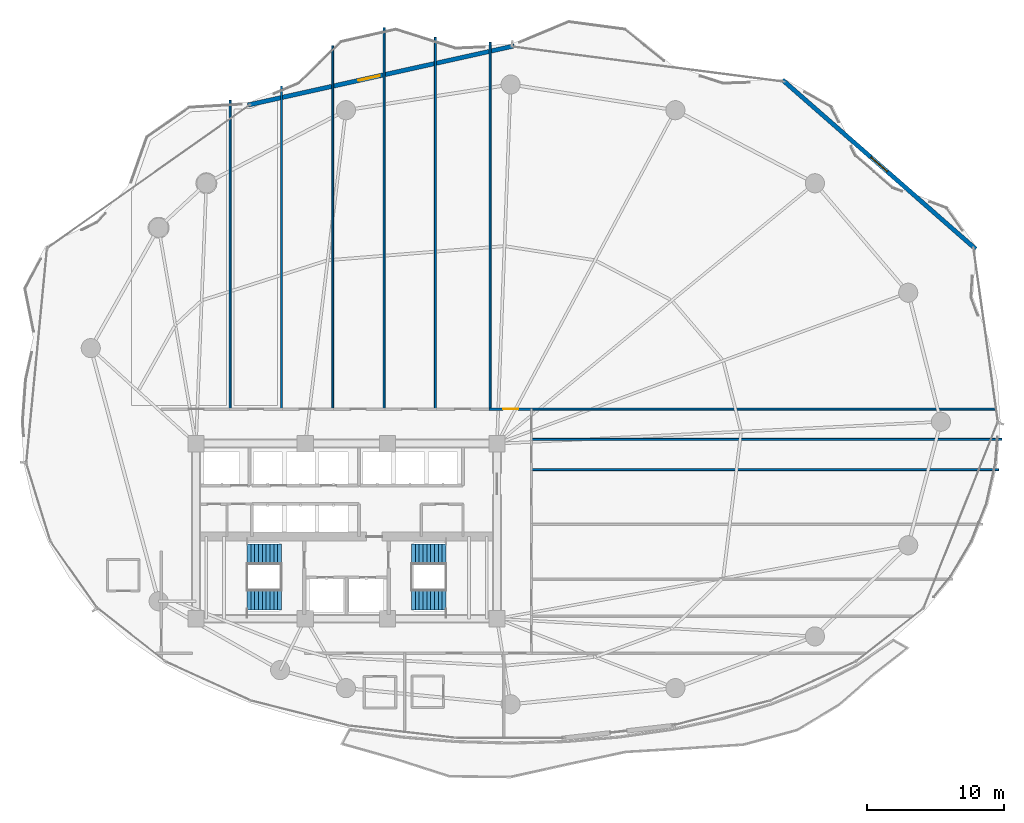
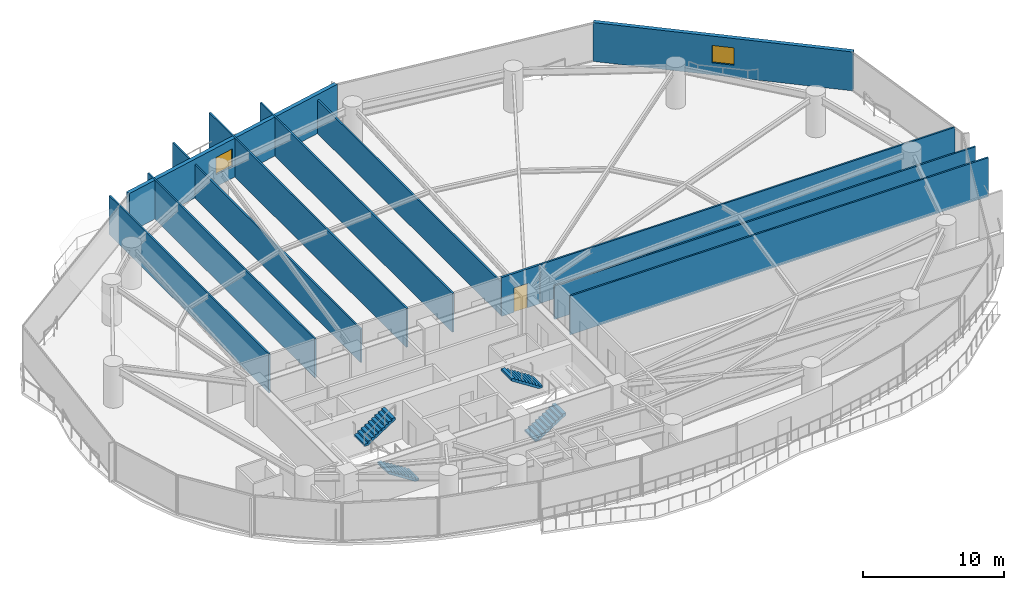
# One storey, part 27 of 32: 12 walls, 4 stair flights, 2 windows, 1 door, 3 openings, 2 elements without a shape of their own.
"""IFC4 building model written with IfcOpenShell, lengths in metres."""

import ifcopenshell
import ifcopenshell.guid

model = None  # the IFC model being written
_history = None  # IfcOwnerHistory: only IFC2X3 demands one
_inside = {}  # id of a spatial element -> (the spatial element, [elements in it])
_under = {}  # id of a project, library or spatial element -> (it, [spatial elements below it])
_declared = {}  # id of a project -> (the project, [libraries it declares])
_typed = {}  # id of a type object -> (the type object, [elements of that type])
_made_of = {}  # id of a material, layer set ... -> (it, [elements and type objects made of it])


def new_model(schema):
    """Start an empty IFC model of exactly this schema.

    Asked for "IFC4X3", IfcOpenShell would pick the latest addendum, in which some entities
    have other attributes; the version numbers below select the first issue.
    IFC2X3 requires an IfcOwnerHistory on every rooted entity: one is made here for all.
    """
    global model, _history
    if schema == "IFC4X3":
        model = ifcopenshell.file(schema_version=(4, 3, 0, 0))
    else:
        model = ifcopenshell.file(schema=schema)
    _inside.clear()
    _under.clear()
    _declared.clear()
    _typed.clear()
    _made_of.clear()
    _history = None
    if model.schema == "IFC2X3":
        org = make("IfcOrganization", Name="unknown")
        user = make(
            "IfcPersonAndOrganization",
            ThePerson=make("IfcPerson", FamilyName="unknown"),
            TheOrganization=org,
        )
        app = make(
            "IfcApplication",
            ApplicationDeveloper=org,
            Version="unknown",
            ApplicationFullName="unknown",
            ApplicationIdentifier="unknown",
        )
        _history = make(
            "IfcOwnerHistory",
            OwningUser=user,
            OwningApplication=app,
            ChangeAction="ADDED",
            CreationDate=0,
        )
    return model


def make(cls, **values):
    """One entity of the class cls with the attributes given. An attribute that is None is left unset."""
    return model.create_entity(
        cls, **{name: value for name, value in values.items() if value is not None}
    )


def rooted(cls, **values):
    """An entity with a GlobalId (a new one), such as an element, a storey or a relation."""
    return make(cls, GlobalId=ifcopenshell.guid.new(), OwnerHistory=_history, **values)


def si_unit(unit_type, name, prefix=None):
    """IfcSIUnit, for example si_unit("LENGTHUNIT", "METRE", prefix="MILLI")."""
    return make("IfcSIUnit", UnitType=unit_type, Prefix=prefix, Name=name)


def assignment(units):
    """IfcUnitAssignment: the units of a project."""
    return None if units is None else make("IfcUnitAssignment", Units=units)


def point(xyz):
    """IfcCartesianPoint."""
    return None if xyz is None else make("IfcCartesianPoint", Coordinates=xyz)


def direction(xyz):
    """IfcDirection."""
    return None if xyz is None else make("IfcDirection", DirectionRatios=xyz)


def frame(location, z_axis=None, x_axis=None):
    """IfcAxis2Placement3D, a coordinate frame: its origin and axes. An axis left out is left unset."""
    return make(
        "IfcAxis2Placement3D",
        Location=point(location),
        Axis=direction(z_axis),
        RefDirection=direction(x_axis),
    )


def frame_2d(location, x_axis=None):
    """IfcAxis2Placement2D, a coordinate frame in the plane: its origin and x axis."""
    return make(
        "IfcAxis2Placement2D", Location=point(location), RefDirection=direction(x_axis)
    )


def origin():
    """The frame at (0, 0, 0) with its axes left unset."""
    return frame((0.0, 0.0, 0.0))


def place(relative_to, where):
    """IfcLocalPlacement: puts the frame where relative to a parent placement (None: the world)."""
    return make(
        "IfcLocalPlacement", PlacementRelTo=relative_to, RelativePlacement=where
    )


def context(
    kind, dimensions, precision=None, world=None, true_north=None, identifier=None
):
    """IfcGeometricRepresentationContext, for example the 3D "Model" context."""
    return make(
        "IfcGeometricRepresentationContext",
        ContextIdentifier=identifier,
        ContextType=kind,
        CoordinateSpaceDimension=dimensions,
        Precision=precision,
        WorldCoordinateSystem=world,
        TrueNorth=true_north,
    )


def subcontext(parent, identifier, kind, view, scale=None):
    """IfcGeometricRepresentationSubContext, for example "Body" below "Model"."""
    return make(
        "IfcGeometricRepresentationSubContext",
        ContextIdentifier=identifier,
        ContextType=kind,
        ParentContext=parent,
        TargetScale=scale,
        TargetView=view,
    )


def project(units=None, contexts=None):
    """IfcProject with its units and contexts."""
    return rooted(
        "IfcProject",
        Name="project",
        RepresentationContexts=contexts,
        UnitsInContext=assignment(units),
    )


def spatial(cls, under=None, at=None, **own):
    """A site, building, storey or space (cls), placed at a placement, below another one or the project."""
    s = rooted(cls, ObjectPlacement=at, **own)
    if under is not None:
        _under.setdefault(under.id(), (under, []))[1].append(s)
    return s


def polyline(points):
    """IfcPolyline through the points."""
    return make("IfcPolyline", Points=[point(p) for p in points])


def profile(cls, at=None, kind="AREA", **sizes):
    """A parametric profile (cls). Its sizes go by their IFC names, for example OverallWidth=200.0."""
    return make(cls, ProfileType=kind, Position=at, **sizes)


def rectangle(**sizes):
    """IfcRectangleProfileDef."""
    return profile("IfcRectangleProfileDef", **sizes)


def outline(outer, holes=None, kind="AREA"):
    """IfcArbitraryClosedProfileDef: a profile drawn as a closed curve; with holes, ...WithVoids."""
    if holes is None:
        return make("IfcArbitraryClosedProfileDef", ProfileType=kind, OuterCurve=outer)
    return make(
        "IfcArbitraryProfileDefWithVoids",
        ProfileType=kind,
        OuterCurve=outer,
        InnerCurves=holes,
    )


def extrude(swept, where, along, depth):
    """IfcExtrudedAreaSolid: the profile swept, set in the frame where, extruded along a direction by depth."""
    return make(
        "IfcExtrudedAreaSolid",
        SweptArea=swept,
        Position=where,
        ExtrudedDirection=direction(along),
        Depth=depth,
    )


def shape(context_of_items, identifier, shape_type, items):
    """IfcShapeRepresentation: the items that make up one representation, for example the "Body"."""
    return make(
        "IfcShapeRepresentation",
        ContextOfItems=context_of_items,
        RepresentationIdentifier=identifier,
        RepresentationType=shape_type,
        Items=items,
    )


def material(Name=None, Category=None):
    """IfcMaterial."""
    return make("IfcMaterial", Name=Name, Category=Category)


def layer(
    of_material, thickness, ventilated=None, Name=None, Category=None, Priority=None
):
    """IfcMaterialLayer: one layer of a wall or slab, of a material (None: an air gap)."""
    return make(
        "IfcMaterialLayer",
        Material=of_material,
        LayerThickness=thickness,
        IsVentilated=ventilated,
        Name=Name,
        Category=Category,
        Priority=Priority,
    )


def layer_set(layers, Name=None):
    """IfcMaterialLayerSet."""
    return make("IfcMaterialLayerSet", MaterialLayers=layers, LayerSetName=Name)


def made_of(thing, what):
    """Note that an element or type object is made of a material, layer set ...; save() writes the relation."""
    if what is not None:
        _made_of.setdefault(what.id(), (what, []))[1].append(thing)
    return thing


def type_object(cls, material=None, **own):
    """A type object (cls), such as IfcWallType, which elements share."""
    return made_of(rooted(cls, **own), material)


def element(
    cls,
    number,
    at=None,
    inside=None,
    cuts=None,
    type_object=None,
    material=None,
    context=None,
    identifier="Body",
    shape_type=None,
    held_by="IfcProductDefinitionShape",
    body=None,
    shapes=None,
    **own,
):
    """One element of the class cls, such as IfcWall. Its Tag is "e" and its number.

    at: its placement. inside: the storey or other place that contains it. cuts: it is an
    opening in that element (IfcRelVoidsElement). A single representation is given by context,
    identifier, shape_type and body (its items); several are given by shapes. held_by: the class
    of the entity that holds the representations. save() writes the other relations.
    """
    e = rooted(cls, Tag="e%d" % number, ObjectPlacement=at, **own)
    if body is not None:
        shapes = [shape(context, identifier, shape_type, body)]
    if shapes is not None:
        e.Representation = make(held_by, Representations=shapes)
    if inside is not None:
        _inside.setdefault(inside.id(), (inside, []))[1].append(e)
    if cuts is not None:
        rooted(
            "IfcRelVoidsElement", RelatingBuildingElement=cuts, RelatedOpeningElement=e
        )
    if type_object is not None:
        _typed.setdefault(type_object.id(), (type_object, []))[1].append(e)
    return made_of(e, material)


def fill(opening, filler):
    """IfcRelFillsElement: the door or window that sits in an opening."""
    return rooted(
        "IfcRelFillsElement",
        RelatingOpeningElement=opening,
        RelatedBuildingElement=filler,
    )


def aggregate(whole, parts):
    """IfcRelAggregates: a whole, such as a stair, and the parts it consists of."""
    return rooted("IfcRelAggregates", RelatingObject=whole, RelatedObjects=parts)


def save(model, path):
    """Write the relations noted so far, then the file.

    IfcRelAggregates (storeys below a building ...), IfcRelContainedInSpatialStructure (elements
    in a storey), IfcRelDefinesByType, IfcRelAssociatesMaterial and IfcRelDeclares: one each for
    every whole, place, type object, material and project.
    """
    for whole, parts in _under.values():
        aggregate(whole, parts)
    for where, things in _inside.values():
        rooted(
            "IfcRelContainedInSpatialStructure",
            RelatedElements=things,
            RelatingStructure=where,
        )
    for kind, things in _typed.values():
        rooted("IfcRelDefinesByType", RelatedObjects=things, RelatingType=kind)
    for what, things in _made_of.values():
        rooted("IfcRelAssociatesMaterial", RelatedObjects=things, RelatingMaterial=what)
    for by, libraries in _declared.values():
        rooted("IfcRelDeclares", RelatingContext=by, RelatedDefinitions=libraries)
    model.write(path)


model = new_model("IFC4")

# Units and contexts
model_context = context("Model", 3, precision=1e-05, world=origin(), true_north=direction((0.0, 1.0)))
body_context = subcontext(model_context, "Body", "Model", "MODEL_VIEW")
ifc_project = project(units=[si_unit("LENGTHUNIT", "METRE"), si_unit("AREAUNIT", "SQUARE_METRE"), si_unit("VOLUMEUNIT", "CUBIC_METRE"), si_unit("PLANEANGLEUNIT", "RADIAN"), si_unit("MASSUNIT", "GRAM", prefix="KILO")], contexts=[model_context])

# Site, building, storey
site_placement = place(None, origin())
site = spatial("IfcSite", under=ifc_project, at=site_placement, CompositionType="ELEMENT")
building_placement = place(site_placement, origin())
building = spatial("IfcBuilding", under=site, at=building_placement, Name="Kazevale Care Tower and Concert Hall", CompositionType="ELEMENT")
storey_placement = place(building_placement, frame((0.0, 0.0, 38.39990234375)))
storey = spatial("IfcBuildingStorey", under=building, at=storey_placement, Name="L09", CompositionType="ELEMENT", Elevation=38.39990234375)

# Walls
ifc_material_1 = material(Name="Acoustic Gypsum on Steel Stud", Category="steel")
ifc_layer_1 = layer(ifc_material_1, 0.139892578125)
ifc_layer_set_1 = layer_set([ifc_layer_1], Name="Acoustic Gypsum on Steel Stud")
wall_type_1 = type_object("IfcWallType", Name="Acoustic Care & Suite Partition 140", PredefinedType="PARTITIONING", material=ifc_layer_set_1)
wall_1_placement = place(storey_placement, frame((24.5, 61.48291015625, 0.0), z_axis=(0.0, 0.0, 1.0), x_axis=(0.0, -1.0, 0.0)))
element("IfcWall", 1, at=wall_1_placement, inside=storey, type_object=wall_type_1, Name="wall:L09:auto_019", PredefinedType="PARTITIONING", context=body_context, shape_type="SweptSolid", body=[
    extrude(rectangle(XDim=22.587890625, YDim=0.139892578125, at=frame_2d((11.2939453125, 0.0))), origin(), (0.0, 0.0, 1.0), 3.360107421875),
])
wall_2_placement = place(storey_placement, frame((28.25, 62.532958984375, 0.0), z_axis=(0.0, 0.0, 1.0), x_axis=(0.0, -1.0, 0.0)))
element("IfcWall", 2, at=wall_2_placement, inside=storey, type_object=wall_type_1, Name="wall:L09:auto_020", PredefinedType="PARTITIONING", context=body_context, shape_type="SweptSolid", body=[
    extrude(rectangle(XDim=23.637939453125, YDim=0.139892578125, at=frame_2d((11.81884765625, 0.0))), origin(), (0.0, 0.0, 1.0), 3.360107421875),
])
wall_3_placement = place(storey_placement, frame((32.0, 65.493896484375, 0.0), z_axis=(0.0, 0.0, 1.0), x_axis=(0.0, -1.0, 0.0)))
element("IfcWall", 3, at=wall_3_placement, inside=storey, type_object=wall_type_1, Name="wall:L09:auto_021", PredefinedType="PARTITIONING", context=body_context, shape_type="SweptSolid", body=[
    extrude(rectangle(XDim=26.598876953125, YDim=0.139892578125, at=frame_2d((13.29931640625, 0.0))), origin(), (0.0, 0.0, 1.0), 2.89013671875),
])
wall_4_placement = place(storey_placement, frame((35.75, 66.81298828125, 0.0), z_axis=(0.0, 0.0, 1.0), x_axis=(0.0, -1.0, 0.0)))
element("IfcWall", 4, at=wall_4_placement, inside=storey, type_object=wall_type_1, Name="wall:L09:auto_022", PredefinedType="PARTITIONING", context=body_context, shape_type="SweptSolid", body=[
    extrude(rectangle(XDim=27.91796875, YDim=0.139892578125, at=frame_2d((13.958984375, 0.0))), origin(), (0.0, 0.0, 1.0), 3.360107421875),
])
wall_5_placement = place(storey_placement, frame((39.5, 66.0869140625, 0.0), z_axis=(0.0, 0.0, 1.0), x_axis=(0.0, -1.0, 0.0)))
element("IfcWall", 5, at=wall_5_placement, inside=storey, type_object=wall_type_1, Name="wall:L09:auto_023", PredefinedType="PARTITIONING", context=body_context, shape_type="SweptSolid", body=[
    extrude(rectangle(XDim=27.19189453125, YDim=0.139892578125, at=frame_2d((13.595947265625, 0.0))), origin(), (0.0, 0.0, 1.0), 3.360107421875),
])
wall_6_placement = place(storey_placement, frame((43.5, 65.735107421875, 0.0), z_axis=(0.0, 0.0, 1.0), x_axis=(0.0, -1.0, 0.0)))
element("IfcWall", 6, at=wall_6_placement, inside=storey, type_object=wall_type_1, Name="wall:L09:auto_024", PredefinedType="PARTITIONING", context=body_context, shape_type="SweptSolid", body=[
    extrude(rectangle(XDim=26.840087890625, YDim=0.139892578125, at=frame_2d((13.419921875, 0.0))), origin(), (0.0, 0.0, 1.0), 2.89013671875),
])
wall_7_placement = place(storey_placement, frame((80.480224609375, 38.925048828125, 0.0), z_axis=(0.0, 0.0, 1.0), x_axis=(-1.0, 0.0, 0.0)))
element("IfcWall", 7, at=wall_7_placement, inside=storey, type_object=wall_type_1, Name="wall:L09:auto_025", PredefinedType="PARTITIONING", context=body_context, shape_type="SweptSolid", body=[
    extrude(rectangle(XDim=34.020263671875, YDim=0.139892578125, at=frame_2d((17.01025390625, 0.0))), origin(), (0.0, 0.0, 1.0), 3.360107421875),
])
wall_8_placement = place(storey_placement, frame((46.4951171875, 34.5, 0.0), z_axis=(0.0, 0.0, 1.0), x_axis=(1.0, 0.0, 0.0)))
element("IfcWall", 8, at=wall_8_placement, inside=storey, type_object=wall_type_1, Name="wall:L09:auto_030", PredefinedType="PARTITIONING", context=body_context, shape_type="SweptSolid", body=[
    extrude(rectangle(XDim=34.177001953125, YDim=0.139892578125, at=frame_2d((17.08837890625, 0.0))), origin(), (0.0, 0.0, 1.0), 3.360107421875),
])
wall_9_placement = place(storey_placement, frame((46.4951171875, 36.7099609375, 0.0), z_axis=(0.0, 0.0, 1.0), x_axis=(1.0, 0.0, 0.0)))
element("IfcWall", 9, at=wall_9_placement, inside=storey, type_object=wall_type_1, Name="wall:L09:auto_031", PredefinedType="PARTITIONING", context=body_context, shape_type="SweptSolid", body=[
    extrude(rectangle(XDim=34.409912109375, YDim=0.139892578125, at=frame_2d((17.205078125, 0.0))), origin(), (0.0, 0.0, 1.0), 2.89013671875),
])

# Wall, opening, door
ifc_material_2 = material(Name="Concrete C40 and Acoustic Gypsum", Category="concrete")
ifc_layer_2 = layer(ifc_material_2, 0.179931640625)
ifc_layer_set_2 = layer_set([ifc_layer_2], Name="Concrete C40 and Acoustic Gypsum")
wall_type_2 = type_object("IfcWallType", Name="Fire-Rated Corridor & Party Wall 180", PredefinedType="PARTITIONING", material=ifc_layer_set_2)
wall_10_placement = place(storey_placement, frame((43.43505859375, 38.925048828125, 0.0), z_axis=(0.0, 0.0, 1.0), x_axis=(1.0, 0.0, 0.0)))
wall_10 = element("IfcWall", 10, at=wall_10_placement, inside=storey, type_object=wall_type_2, Name="wall:L09:auto_007", PredefinedType="PARTITIONING", context=body_context, shape_type="SweptSolid", body=[
    extrude(rectangle(XDim=3.119873046875, YDim=0.179931640625, at=frame_2d((1.56005859375, 0.0))), origin(), (0.0, 0.0, 1.0), 3.360107421875),
])
opening_1_placement = place(wall_10_placement, frame((1.010009765625, 0.0, 0.0)))
opening_1 = element("IfcOpeningElement", 11, at=opening_1_placement, cuts=wall_10, Name="Opening ID-1100", PredefinedType="OPENING", context=body_context, shape_type="SweptSolid", body=[
    extrude(rectangle(XDim=1.10009765625, YDim=2.10009765625, at=frame_2d((0.550048828125, 1.050048828125))), frame((0.0, 0.099853515625, 0.0), z_axis=(0.0, -1.0, 0.0), x_axis=(1.0, 0.0, 0.0)), (0.0, 0.0, 1.0), 0.199951171875),
])
ifc_material_3 = material(Name="Oak Timber Fire Leaf", Category="wood")
door_type = type_object("IfcDoorType", Name="Care Bedroom Accessible Door 1100x2100", OperationType="NOTDEFINED", PredefinedType="DOOR", material=ifc_material_3)
door_placement = place(opening_1_placement, origin())
door = element("IfcDoor", 12, at=door_placement, inside=storey, type_object=door_type, Name="door:L09:ad_007", OperationType="SINGLE_SWING_LEFT", OverallHeight=2.10009765625, OverallWidth=1.10009765625, PredefinedType="DOOR", context=body_context, shape_type="SweptSolid", body=[
    extrude(rectangle(XDim=1.10009765625, YDim=2.10009765625, at=frame_2d((0.550048828125, 1.050048828125))), frame((0.0, 0.02490234375, 0.0), z_axis=(0.0, -1.0, 0.0), x_axis=(1.0, 0.0, 0.0)), (0.0, 0.0, 1.0), 0.050048828125),
])
fill(opening_1, door)

# Wall, opening, window
ifc_material_4 = material(Name="Concrete C40 with Honed Limestone Cladding", Category="masonry")
ifc_layer_3 = layer(ifc_material_4, 0.320068359375)
ifc_layer_set_3 = layer_set([ifc_layer_3], Name="Concrete C40 with Honed Limestone Cladding")
wall_type_3 = type_object("IfcWallType", Name="Tower Honed Limestone Spandrel Wall 320", PredefinedType="STANDARD", material=ifc_layer_set_3)
wall_11_placement = place(storey_placement, frame((25.780029296875, 61.14404296875, 0.0), z_axis=(0.0, 0.0, 1.0), x_axis=(0.976206349039, 0.216843639742, 0.0)))
wall_11 = element("IfcWall", 13, at=wall_11_placement, inside=storey, type_object=wall_type_3, Name="wall:L09:cbox:15", PredefinedType="STANDARD", context=body_context, shape_type="SweptSolid", body=[
    extrude(rectangle(XDim=19.949462890625, YDim=0.320068359375, at=frame_2d((9.974609375, 0.0))), origin(), (0.0, 0.0, 1.0), 3.360107421875),
])
opening_2_placement = place(wall_11_placement, frame((8.294921875, 0.0, 1.050048828125)))
opening_2 = element("IfcOpeningElement", 14, at=opening_2_placement, cuts=wall_11, Name="Opening WIN-1", PredefinedType="OPENING", context=body_context, shape_type="SweptSolid", body=[
    extrude(rectangle(XDim=1.60009765625, YDim=1.5, at=frame_2d((0.800048828125, 0.75))), frame((0.0, 0.169921875, 0.0), z_axis=(0.0, -1.0, 0.0), x_axis=(1.0, 0.0, 0.0)), (0.0, 0.0, 1.0), 0.340087890625),
])
ifc_material_5 = material(Name="Low-E Laminated Glass", Category="glass")
window_type = type_object("IfcWindowType", Name="Convex Box Deep-Set Window 1600x1500", PartitioningType="DOUBLE_PANEL_VERTICAL", PredefinedType="WINDOW", material=ifc_material_5)
window_1_placement = place(opening_2_placement, origin())
window_1 = element("IfcWindow", 15, at=window_1_placement, inside=storey, type_object=window_type, Name="win:L09:cbox:15", OverallHeight=1.5, OverallWidth=1.60009765625, PartitioningType="SINGLE_PANEL", PredefinedType="WINDOW", context=body_context, shape_type="SweptSolid", body=[
    extrude(rectangle(XDim=1.60009765625, YDim=1.5, at=frame_2d((0.800048828125, 0.75))), frame((0.0, 0.030029296875, 0.0), z_axis=(0.0, -1.0, 0.0), x_axis=(1.0, 0.0, 0.0)), (0.0, 0.0, 1.0), 0.06005859375),
])
fill(opening_2, window_1)

wall_12_placement = place(storey_placement, frame((64.8740234375, 62.98388671875, 0.0), z_axis=(0.0, 0.0, 1.0), x_axis=(0.752445311183, -0.658654730249, 0.0)))
wall_12 = element("IfcWall", 16, at=wall_12_placement, inside=storey, type_object=wall_type_3, Name="wall:L09:cbox:17", PredefinedType="STANDARD", context=body_context, shape_type="SweptSolid", body=[
    extrude(rectangle(XDim=18.765380859375, YDim=0.320068359375, at=frame_2d((9.3828125, 0.0))), origin(), (0.0, 0.0, 1.0), 3.360107421875),
])
opening_3_placement = place(wall_12_placement, frame((8.58203125, 0.0, 1.050048828125)))
opening_3 = element("IfcOpeningElement", 17, at=opening_3_placement, cuts=wall_12, Name="Opening WIN-1", PredefinedType="OPENING", context=body_context, shape_type="SweptSolid", body=[
    extrude(rectangle(XDim=1.60009765625, YDim=1.5, at=frame_2d((0.800048828125, 0.75))), frame((0.0, 0.169921875, 0.0), z_axis=(0.0, -1.0, 0.0), x_axis=(1.0, 0.0, 0.0)), (0.0, 0.0, 1.0), 0.340087890625),
])
window_2_placement = place(opening_3_placement, origin())
window_2 = element("IfcWindow", 18, at=window_2_placement, inside=storey, type_object=window_type, Name="win:L09:cbox:17", OverallHeight=1.5, OverallWidth=1.60009765625, PartitioningType="SINGLE_PANEL", PredefinedType="WINDOW", context=body_context, shape_type="SweptSolid", body=[
    extrude(rectangle(XDim=1.60009765625, YDim=1.5, at=frame_2d((0.800048828125, 0.75))), frame((0.0, 0.030029296875, 0.0), z_axis=(0.0, -1.0, 0.0), x_axis=(1.0, 0.0, 0.0)), (0.0, 0.0, 1.0), 0.06005859375),
])
fill(opening_3, window_2)

# Stair, stair flights
ifc_material_6 = material(Name="Concrete C40", Category="concrete")
stair_type = type_object("IfcStairType", Name="Exit Stair Assembly ST1-Z1", PredefinedType="HALF_TURN_STAIR", material=ifc_material_6)
stair_1_placement = place(storey_placement, origin())
stair_1 = element("IfcStair", 19, at=stair_1_placement, inside=storey, type_object=stair_type, Name="stair:L09:ST1", PredefinedType="HALF_TURN_STAIR")
ifc_layer_4 = layer(ifc_material_6, 0.159912109375)
ifc_layer_set_4 = layer_set([ifc_layer_4], Name="Concrete C40")
stair_flight_type = type_object("IfcStairFlightType", Name="Exit Stair Flight ST1-Z1", PredefinedType="STRAIGHT", material=ifc_layer_set_4)
stair_flight_1_placement = place(storey_placement, frame((28.25, 24.989990234375, 0.0), z_axis=(0.0, 0.0, 1.0), x_axis=(-1.0, 0.0, 0.0)))
stair_flight_1 = element("IfcStairFlight", 20, at=stair_flight_1_placement, type_object=stair_flight_type, Name="ST1-Z1 flight 1", NumberOfRisers=10, NumberOfTreads=9, PredefinedType="STRAIGHT", RiserHeight=0.18, TreadLength=0.28, context=body_context, shape_type="SweptSolid", body=[
    extrude(outline(polyline([(0.0, 0.0), (0.0, 0.179931640625), (0.280029296875, 0.179931640625), (0.280029296875, 0.360107421875), (0.56005859375, 0.360107421875), (0.56005859375, 0.5400390625), (0.840087890625, 0.5400390625), (0.840087890625, 0.719970703125), (1.1201171875, 0.719970703125), (1.1201171875, 0.89990234375), (1.39990234375, 0.89990234375), (1.39990234375, 1.080078125), (1.679931640625, 1.080078125), (1.679931640625, 1.260009765625), (1.9599609375, 1.260009765625), (1.9599609375, 1.43994140625), (2.239990234375, 1.43994140625), (2.239990234375, 1.6201171875), (2.52001953125, 1.6201171875), (2.52001953125, 1.800048828125), (2.52001953125, 1.429931640625), (0.295654296875, 0.0), (0.0, 0.0)])), frame((0.0, 0.739990234375, 0.0), z_axis=(0.0, -1.0, 0.0), x_axis=(1.0, 0.0, 0.0)), (0.0, 0.0, 1.0), 1.47998046875),
])
stair_flight_2_placement = place(storey_placement, frame((25.72998046875, 28.31005859375, 1.800048828125), z_axis=(0.0, 0.0, 1.0), x_axis=(1.0, 0.0, 0.0)))
stair_flight_2 = element("IfcStairFlight", 21, at=stair_flight_2_placement, type_object=stair_flight_type, Name="ST1-Z1 flight 2", NumberOfRisers=10, NumberOfTreads=9, PredefinedType="STRAIGHT", RiserHeight=0.18, TreadLength=0.28, context=body_context, shape_type="SweptSolid", body=[
    extrude(outline(polyline([(0.0, 0.0), (0.0, 0.179931640625), (0.280029296875, 0.179931640625), (0.280029296875, 0.360107421875), (0.56005859375, 0.360107421875), (0.56005859375, 0.5400390625), (0.840087890625, 0.5400390625), (0.840087890625, 0.719970703125), (1.1201171875, 0.719970703125), (1.1201171875, 0.89990234375), (1.39990234375, 0.89990234375), (1.39990234375, 1.080078125), (1.679931640625, 1.080078125), (1.679931640625, 1.260009765625), (1.9599609375, 1.260009765625), (1.9599609375, 1.43994140625), (2.239990234375, 1.43994140625), (2.239990234375, 1.6201171875), (2.52001953125, 1.6201171875), (2.52001953125, 1.800048828125), (2.52001953125, 1.429931640625), (0.295654296875, 0.0), (0.0, 0.0)])), frame((0.0, 0.739990234375, 0.0), z_axis=(0.0, -1.0, 0.0), x_axis=(1.0, 0.0, 0.0)), (0.0, 0.0, 1.0), 1.47998046875),
])
aggregate(stair_1, [stair_flight_1, stair_flight_2])

stair_2_placement = place(storey_placement, origin())
stair_2 = element("IfcStair", 22, at=stair_2_placement, inside=storey, type_object=stair_type, Name="stair:L09:ST2", PredefinedType="HALF_TURN_STAIR")
stair_flight_3_placement = place(storey_placement, frame((37.75, 24.989990234375, 0.0), z_axis=(0.0, 0.0, 1.0), x_axis=(1.0, 0.0, 0.0)))
stair_flight_3 = element("IfcStairFlight", 23, at=stair_flight_3_placement, type_object=stair_flight_type, Name="ST1-Z1 flight 1", NumberOfRisers=10, NumberOfTreads=9, PredefinedType="STRAIGHT", RiserHeight=0.18, TreadLength=0.28, context=body_context, shape_type="SweptSolid", body=[
    extrude(outline(polyline([(0.0, 0.0), (0.0, 0.179931640625), (0.280029296875, 0.179931640625), (0.280029296875, 0.360107421875), (0.56005859375, 0.360107421875), (0.56005859375, 0.5400390625), (0.840087890625, 0.5400390625), (0.840087890625, 0.719970703125), (1.1201171875, 0.719970703125), (1.1201171875, 0.89990234375), (1.39990234375, 0.89990234375), (1.39990234375, 1.080078125), (1.679931640625, 1.080078125), (1.679931640625, 1.260009765625), (1.9599609375, 1.260009765625), (1.9599609375, 1.43994140625), (2.239990234375, 1.43994140625), (2.239990234375, 1.6201171875), (2.52001953125, 1.6201171875), (2.52001953125, 1.800048828125), (2.52001953125, 1.429931640625), (0.295654296875, 0.0), (0.0, 0.0)])), frame((0.0, 0.739990234375, 0.0), z_axis=(0.0, -1.0, 0.0), x_axis=(1.0, 0.0, 0.0)), (0.0, 0.0, 1.0), 1.47998046875),
])
stair_flight_4_placement = place(storey_placement, frame((40.27001953125, 28.31005859375, 1.800048828125), z_axis=(0.0, 0.0, 1.0), x_axis=(-1.0, 0.0, 0.0)))
stair_flight_4 = element("IfcStairFlight", 24, at=stair_flight_4_placement, type_object=stair_flight_type, Name="ST1-Z1 flight 2", NumberOfRisers=10, NumberOfTreads=9, PredefinedType="STRAIGHT", RiserHeight=0.18, TreadLength=0.28, context=body_context, shape_type="SweptSolid", body=[
    extrude(outline(polyline([(0.0, 0.0), (0.0, 0.179931640625), (0.280029296875, 0.179931640625), (0.280029296875, 0.360107421875), (0.56005859375, 0.360107421875), (0.56005859375, 0.5400390625), (0.840087890625, 0.5400390625), (0.840087890625, 0.719970703125), (1.1201171875, 0.719970703125), (1.1201171875, 0.89990234375), (1.39990234375, 0.89990234375), (1.39990234375, 1.080078125), (1.679931640625, 1.080078125), (1.679931640625, 1.260009765625), (1.9599609375, 1.260009765625), (1.9599609375, 1.43994140625), (2.239990234375, 1.43994140625), (2.239990234375, 1.6201171875), (2.52001953125, 1.6201171875), (2.52001953125, 1.800048828125), (2.52001953125, 1.429931640625), (0.295654296875, 0.0), (0.0, 0.0)])), frame((0.0, 0.739990234375, 0.0), z_axis=(0.0, -1.0, 0.0), x_axis=(1.0, 0.0, 0.0)), (0.0, 0.0, 1.0), 1.47998046875),
])
aggregate(stair_2, [stair_flight_3, stair_flight_4])

save(model, "model.ifc")
